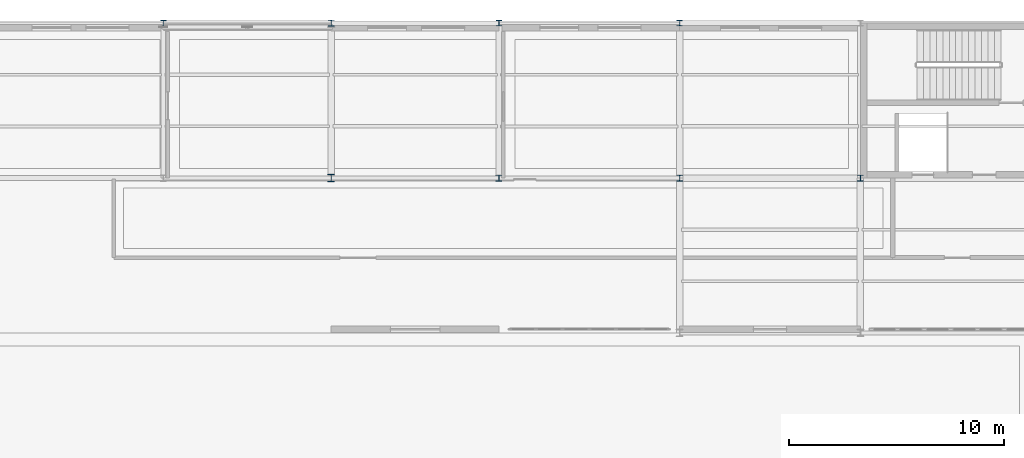
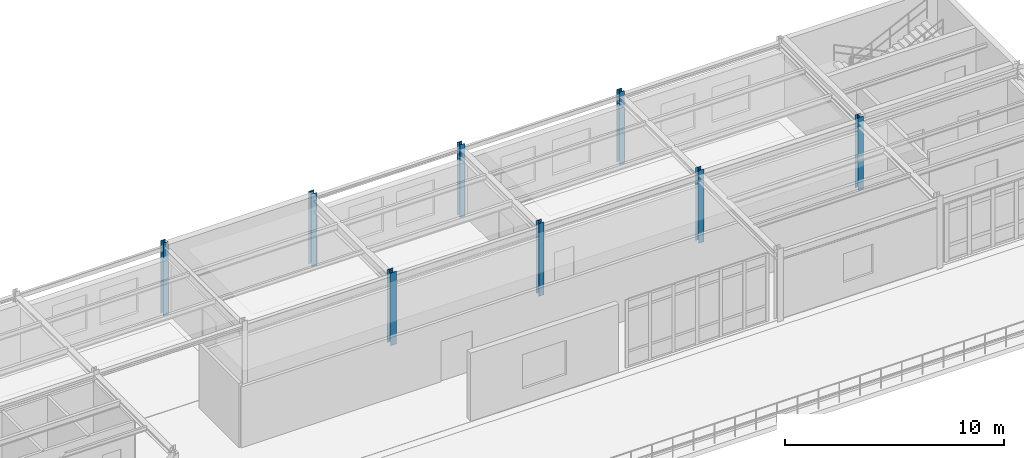
# One storey, part 7 of 58: 8 columns.
"""IFC4 building model written with IfcOpenShell, lengths in metres."""

from ifc_helpers import new_model, si_unit, derived_unit, direction, frame, origin, origin_2d, place, context, subcontext, project, spatial, i_section, extrude, material, material_profile, profile_set, type_object, element, save


model = new_model("IFC4")

# Units and contexts
model_context = context("Model", 3, precision=1e-05, world=origin(), true_north=direction((0.0, 1.0)))
body_context = subcontext(model_context, "Body", "Model", "MODEL_VIEW")
ifc_project = project(units=[si_unit("LENGTHUNIT", "METRE"), si_unit("AREAUNIT", "SQUARE_METRE"), si_unit("VOLUMEUNIT", "CUBIC_METRE"), si_unit("PLANEANGLEUNIT", "RADIAN"), si_unit("MASSUNIT", "GRAM", prefix="KILO"), derived_unit("THERMALTRANSMITTANCEUNIT", [(si_unit("POWERUNIT", "WATT"), 1), (si_unit("AREAUNIT", "SQUARE_METRE"), -1), (si_unit("THERMODYNAMICTEMPERATUREUNIT", "KELVIN"), -1)])], contexts=[model_context])

# Site, building, storey
site_placement = place(None, origin())
site = spatial("IfcSite", under=ifc_project, at=site_placement, CompositionType="ELEMENT")
building_placement = place(site_placement, origin())
building = spatial("IfcBuilding", under=site, at=building_placement, Name="Yasenodar Specialist Clinic", CompositionType="ELEMENT")
storey_placement = place(building_placement, frame((0.0, 0.0, 21.300048828125)))
storey = spatial("IfcBuildingStorey", under=building, at=storey_placement, Name="L05", CompositionType="ELEMENT", Elevation=21.300048828125)

# Columns
ifc_material = material(Name="Steel S355", Category="steel")
ifc_material_profile_1 = material_profile(ifc_material, i_section(OverallWidth=0.300048828125, OverallDepth=0.330078125, WebThickness=0.009521484375, FlangeThickness=0.0166015625, FilletRadius=0.027099609375, at=origin_2d()), Name="HEA 340")
ifc_profile_set_1 = profile_set([ifc_material_profile_1], Name="Steel S355")
column_type_1 = type_object("IfcColumnType", Name="COL-ST-HEA340", PredefinedType="COLUMN", material=ifc_profile_set_1)
column_placement = place(storey_placement, frame((88.800048828125, 104.39990234375, 0.0), z_axis=(0.0, 0.0, 1.0), x_axis=(1.0, 0.0, 0.0)))
element("IfcColumn", 1, at=column_placement, inside=storey, type_object=column_type_1, Name="L05 Column V5-109", PredefinedType="COLUMN", context=body_context, shape_type="SweptSolid", body=[
    extrude(i_section(OverallWidth=0.300048828125, OverallDepth=0.330078125, WebThickness=0.009521484375, FlangeThickness=0.0166015625, FilletRadius=0.027099609375, at=origin_2d()), origin(), (0.0, 0.0, 1.0), 4.050048828125),
])
ifc_material_profile_2 = material_profile(ifc_material, i_section(OverallWidth=0.260009765625, OverallDepth=0.260009765625, WebThickness=0.010009765625, FlangeThickness=0.017578125, FilletRadius=0.02392578125, at=origin_2d()), Name="HEB 260")
ifc_profile_set_2 = profile_set([ifc_material_profile_2], Name="Steel S355")
column_type_2 = type_object("IfcColumnType", Name="COL-ST-HEB260", PredefinedType="COLUMN", material=ifc_profile_set_2)
for number, where, z_axis, x_axis, name in (
    (2, (81.0, 111.60009765625, 0.0), (0.0, 0.0, 1.0), (1.0, 0.0, 0.0), "L05 Column V5-106"),
    (3, (96.60009765625, 111.60009765625, 0.0), (0.0, 0.0, 1.0), (1.0, 0.0, 0.0), "L05 Column V5-116"),
    (4, (105.0, 111.60009765625, 0.0), (0.0, 0.0, 1.0), (1.0, 0.0, 0.0), "L05 Column V5-126"),
):
    element("IfcColumn", number, at=place(storey_placement, frame(where, z_axis=z_axis, x_axis=x_axis)), inside=storey, type_object=column_type_2, Name=name, PredefinedType="COLUMN", context=body_context, shape_type="SweptSolid", body=[
        extrude(i_section(OverallWidth=0.260009765625, OverallDepth=0.260009765625, WebThickness=0.010009765625, FlangeThickness=0.017578125, FilletRadius=0.02392578125, at=origin_2d()), origin(), (0.0, 0.0, 1.0), 4.050048828125),
    ])
ifc_material_profile_3 = material_profile(ifc_material, i_section(OverallWidth=0.280029296875, OverallDepth=0.280029296875, WebThickness=0.010498046875, FlangeThickness=0.01806640625, FilletRadius=0.02392578125, at=origin_2d()), Name="HEB 280")
ifc_profile_set_3 = profile_set([ifc_material_profile_3], Name="Steel S355")
column_type_3 = type_object("IfcColumnType", Name="COL-ST-HEB280", PredefinedType="COLUMN", material=ifc_profile_set_3)
for number, where, z_axis, x_axis, name in (
    (5, (88.800048828125, 111.60009765625, 0.0), (0.0, 0.0, 1.0), (1.0, 0.0, 0.0), "L05 Column V5-110"),
    (6, (96.60009765625, 104.39990234375, 0.0), (0.0, 0.0, 1.0), (1.0, 0.0, 0.0), "L05 Column V5-115"),
    (7, (105.0, 104.39990234375, 0.0), (0.0, 0.0, 1.0), (1.0, 0.0, 0.0), "L05 Column V5-125"),
    (8, (113.39990234375, 104.39990234375, 0.0), (0.0, 0.0, 1.0), (1.0, 0.0, 0.0), "L05 Column V5-135"),
):
    element("IfcColumn", number, at=place(storey_placement, frame(where, z_axis=z_axis, x_axis=x_axis)), inside=storey, type_object=column_type_3, Name=name, PredefinedType="COLUMN", context=body_context, shape_type="SweptSolid", body=[
        extrude(i_section(OverallWidth=0.280029296875, OverallDepth=0.280029296875, WebThickness=0.010498046875, FlangeThickness=0.01806640625, FilletRadius=0.02392578125, at=origin_2d()), origin(), (0.0, 0.0, 1.0), 4.050048828125),
    ])

save(model, "model.ifc")
